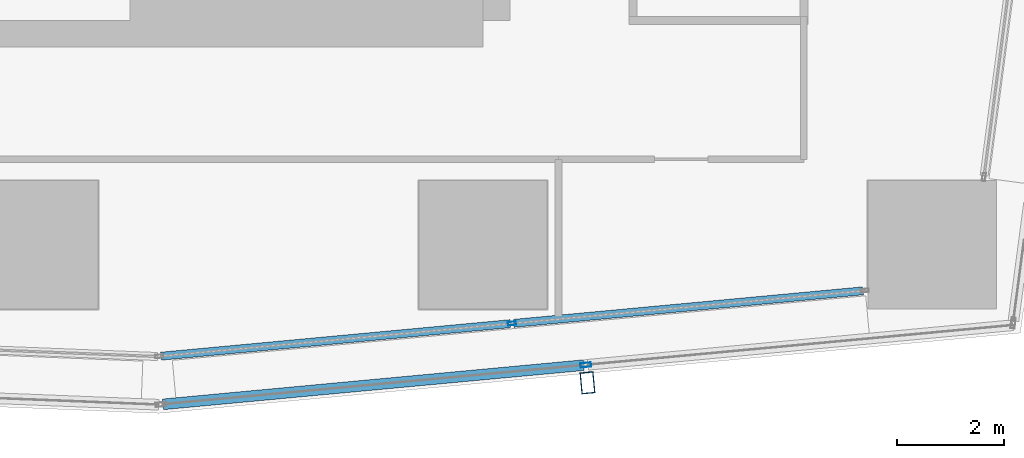
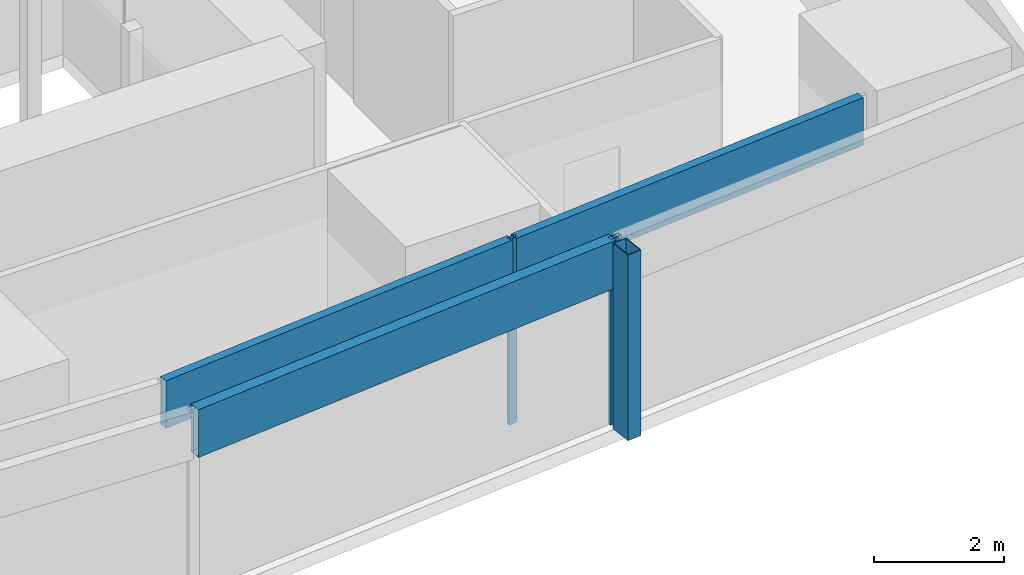
# One storey, part 9 of 37: 6 members, 2 elements without a shape of their own.
"""IFC4 building model written with IfcOpenShell, lengths in metres."""

from ifc_helpers import new_model, si_unit, direction, frame, origin, origin_2d, place, context, subcontext, project, spatial, hollow_rectangle, extrude, material, material_profile, profile_set, type_object, element, aggregate, save


model = new_model("IFC4")

# Units and contexts
model_context = context("Model", 3, precision=1e-05, world=origin(), true_north=direction((0.0, 1.0)))
body_context = subcontext(model_context, "Body", "Model", "MODEL_VIEW")
ifc_project = project(units=[si_unit("LENGTHUNIT", "METRE"), si_unit("AREAUNIT", "SQUARE_METRE"), si_unit("VOLUMEUNIT", "CUBIC_METRE"), si_unit("PLANEANGLEUNIT", "RADIAN"), si_unit("MASSUNIT", "GRAM", prefix="KILO")], contexts=[model_context])

# Site, building, storey
site_placement = place(None, origin())
site = spatial("IfcSite", under=ifc_project, at=site_placement, CompositionType="ELEMENT")
building_placement = place(site_placement, origin())
building = spatial("IfcBuilding", under=site, at=building_placement, Name="Rekha Terrace Tower", CompositionType="ELEMENT")
storey_placement = place(building_placement, frame((0.0, 0.0, 232.699951171875)))
storey = spatial("IfcBuildingStorey", under=building, at=storey_placement, Name="L59", CompositionType="ELEMENT", Elevation=232.699951171875)

# Curtain wall, member
ifc_material_1 = material(Name="Aluminium framing", Category="aluminium")
curtain_wall_type_1 = type_object("IfcCurtainWallType", Name="CW2 double skin outer glazing", PredefinedType="USERDEFINED", material=ifc_material_1)
curtain_wall_1_placement = place(storey_placement, origin())
curtain_wall_1 = element("IfcCurtainWall", 1, at=curtain_wall_1_placement, inside=storey, type_object=curtain_wall_type_1, Name="CW2 double skin outer glazing", ObjectType="DOUBLE SKIN OUTER GLAZING", PredefinedType="USERDEFINED")
ifc_material_2 = material(Name="Steel S355 with fluorocarbon finish", Category="steel")
ifc_material_profile_1 = material_profile(ifc_material_2, hollow_rectangle(XDim=0.25, YDim=0.39990234375, WallThickness=0.012451171875, at=origin_2d()), Name="RHS400x250x12.5")
ifc_profile_set_1 = profile_set([ifc_material_profile_1], Name="Steel S355 with fluorocarbon finish")
member_type_1 = type_object("IfcMemberType", Name="BL1 facade blade RHS 400 x 250", PredefinedType="USERDEFINED", material=ifc_profile_set_1)
member_1_placement = place(storey_placement, frame((52.35302734375, 14.22021484375, 0.0), z_axis=(0.0, 0.0, 1.0), x_axis=(0.995693203185, 0.092709466242, 0.0)))
member_1 = element("IfcMember", 2, at=member_1_placement, type_object=member_type_1, Name="Facade blade", ObjectType="FACADE BLADE", PredefinedType="USERDEFINED", context=body_context, shape_type="SweptSolid", body=[
    extrude(hollow_rectangle(XDim=0.25, YDim=0.39990234375, WallThickness=0.012451171875, at=origin_2d()), origin(), (0.0, 0.0, 1.0), 3.5),
])

# Curtain wall, members
curtain_wall_type_2 = type_object("IfcCurtainWallType", Name="CW1 double skin inner glazing", PredefinedType="USERDEFINED", material=ifc_material_1)
curtain_wall_2_placement = place(storey_placement, origin())
curtain_wall_2 = element("IfcCurtainWall", 3, at=curtain_wall_2_placement, inside=storey, type_object=curtain_wall_type_2, Name="CW1 double skin inner glazing", ObjectType="DOUBLE SKIN INNER GLAZING", PredefinedType="USERDEFINED")
ifc_material_3 = material(Name="Aluminium mullion section", Category="aluminium")
ifc_material_profile_2 = material_profile(ifc_material_3, hollow_rectangle(XDim=0.06494140625, YDim=0.14990234375, WallThickness=0.00390625, at=origin_2d()), Name="AL RHS 65x150")
ifc_profile_set_2 = profile_set([ifc_material_profile_2], Name="Aluminium mullion section")
member_type_2 = type_object("IfcMemberType", Name="CW1 mullion RHS 65 x 150", PredefinedType="MULLION", material=ifc_profile_set_2)
member_2_placement = place(storey_placement, frame((50.941650390625, 15.329345703125, 0.0), z_axis=(0.0, 0.0, 1.0), x_axis=(-0.092708869546, 0.995693258744, 0.0)))
member_2 = element("IfcMember", 4, at=member_2_placement, type_object=member_type_2, Name="CW1 mullion 2", PredefinedType="MULLION", context=body_context, shape_type="SweptSolid", body=[
    extrude(hollow_rectangle(XDim=0.06494140625, YDim=0.14990234375, WallThickness=0.00390625, at=origin_2d()), origin(), (0.0, 0.0, 1.0), 3.5),
])
ifc_material_4 = material(Name="Insulated aluminium spandrel box", Category="aluminium")
ifc_material_profile_3 = material_profile(ifc_material_4, hollow_rectangle(XDim=0.14990234375, YDim=0.89990234375, WallThickness=0.0029296875, at=origin_2d()), Name="AL SPANDREL BOX 150x900")
ifc_profile_set_3 = profile_set([ifc_material_profile_3], Name="Insulated aluminium spandrel box")
member_type_3 = type_object("IfcMemberType", Name="CW1 spandrel transom 150 x 900", PredefinedType="USERDEFINED", material=ifc_profile_set_3)
member_3_placement = place(storey_placement, frame((44.376708984375, 14.718017578125, 3.050048828125), z_axis=(0.995694429276, 0.092696297168, 0.0), x_axis=(-0.092696297168, 0.995694429276, 0.0)))
member_3 = element("IfcMember", 5, at=member_3_placement, type_object=member_type_3, Name="CW1 spandrel transom 1", ObjectType="TRANSOM", PredefinedType="USERDEFINED", context=body_context, shape_type="SweptSolid", body=[
    extrude(hollow_rectangle(XDim=0.14990234375, YDim=0.89990234375, WallThickness=0.0029296875, at=origin_2d()), origin(), (0.0, 0.0, 1.0), 6.560791015625),
])
member_4_placement = place(storey_placement, frame((50.973876953125, 15.332275390625, 3.050048828125), z_axis=(0.99569474901, 0.092692862687, 0.0), x_axis=(-0.092692862687, 0.99569474901, 0.0)))
member_4 = element("IfcMember", 6, at=member_4_placement, type_object=member_type_3, Name="CW1 spandrel transom 2", ObjectType="TRANSOM", PredefinedType="USERDEFINED", context=body_context, shape_type="SweptSolid", body=[
    extrude(hollow_rectangle(XDim=0.14990234375, YDim=0.89990234375, WallThickness=0.0029296875, at=origin_2d()), origin(), (0.0, 0.0, 1.0), 6.56103515625),
])
aggregate(curtain_wall_2, [member_2, member_3, member_4])

# Member
ifc_material_profile_4 = material_profile(ifc_material_3, hollow_rectangle(XDim=0.080078125, YDim=0.199951171875, WallThickness=0.00390625, at=origin_2d()), Name="AL RHS 80x200")
ifc_profile_set_4 = profile_set([ifc_material_profile_4], Name="Aluminium mullion section")
member_type_4 = type_object("IfcMemberType", Name="CW2 mullion RHS 80 x 200", PredefinedType="MULLION", material=ifc_profile_set_4)
member_5_placement = place(storey_placement, frame((52.322021484375, 14.553955078125, 0.0), z_axis=(0.0, 0.0, 1.0), x_axis=(-0.092708869512, 0.995693258747, 0.0)))
member_5 = element("IfcMember", 7, at=member_5_placement, type_object=member_type_4, Name="CW2 mullion 2", PredefinedType="MULLION", context=body_context, shape_type="SweptSolid", body=[
    extrude(hollow_rectangle(XDim=0.080078125, YDim=0.199951171875, WallThickness=0.00390625, at=origin_2d()), origin(), (0.0, 0.0, 1.0), 3.5),
])

ifc_material_profile_5 = material_profile(ifc_material_4, hollow_rectangle(XDim=0.199951171875, YDim=0.89990234375, WallThickness=0.0029296875, at=origin_2d()), Name="AL SPANDREL BOX 200x900")
ifc_profile_set_5 = profile_set([ifc_material_profile_5], Name="Insulated aluminium spandrel box")
member_type_5 = type_object("IfcMemberType", Name="CW2 spandrel transom 200 x 900", PredefinedType="USERDEFINED", material=ifc_profile_set_5)
member_6_placement = place(storey_placement, frame((44.41552734375, 13.817626953125, 3.050048828125), z_axis=(0.995690937161, 0.092733799963, 0.0), x_axis=(-0.092733799963, 0.995690937161, 0.0)))
member_6 = element("IfcMember", 8, at=member_6_placement, type_object=member_type_5, Name="CW2 spandrel transom 1", ObjectType="TRANSOM", PredefinedType="USERDEFINED", context=body_context, shape_type="SweptSolid", body=[
    extrude(hollow_rectangle(XDim=0.199951171875, YDim=0.89990234375, WallThickness=0.0029296875, at=origin_2d()), origin(), (0.0, 0.0, 1.0), 7.900634765625),
])

aggregate(curtain_wall_1, [member_5, member_6, member_1])

save(model, "model.ifc")
